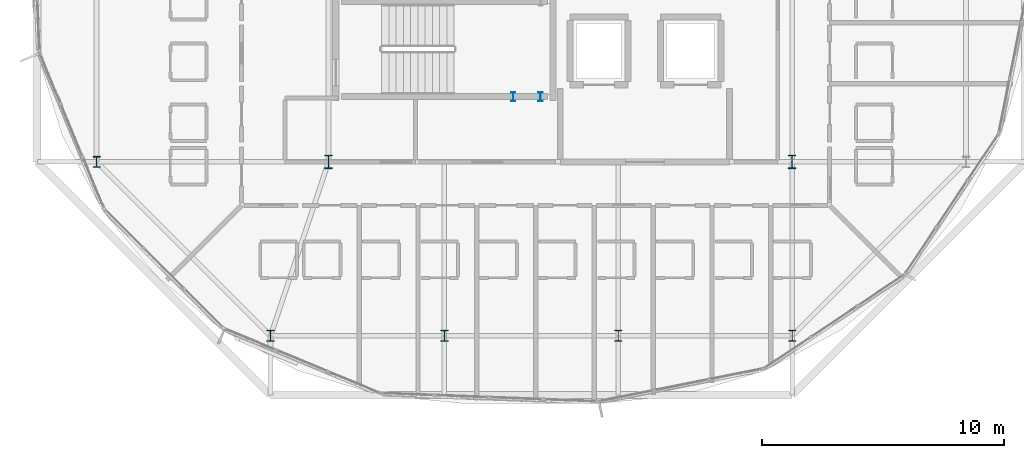
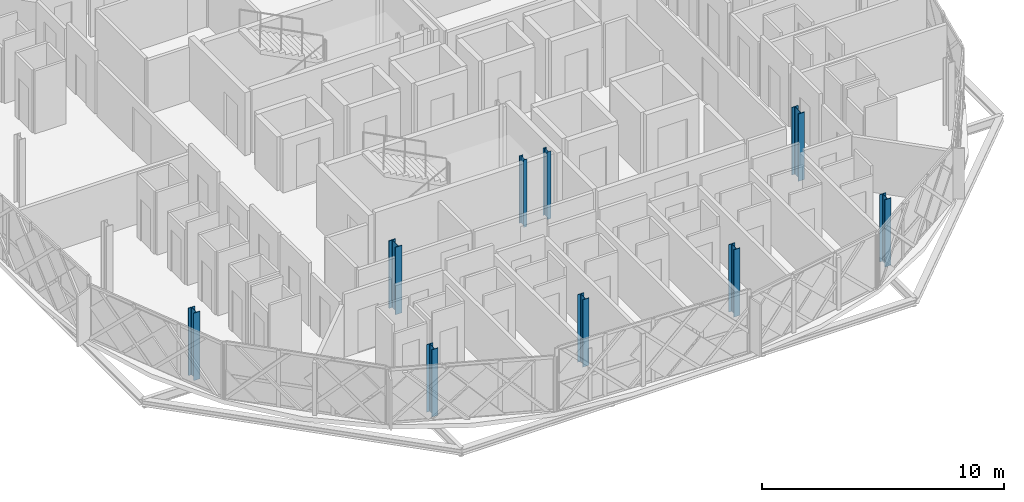
# One storey, part 1 of 24: 9 columns.
"""IFC4 building model written with IfcOpenShell, lengths in metres."""

from ifc_helpers import new_model, si_unit, direction, frame, origin, origin_2d, place, context, subcontext, project, spatial, i_section, extrude, material, material_profile, profile_set, type_object, element, save


model = new_model("IFC4")

# Units and contexts
model_context = context("Model", 3, precision=1e-05, world=origin(), true_north=direction((0.0, 1.0)))
body_context = subcontext(model_context, "Body", "Model", "MODEL_VIEW")
ifc_project = project(units=[si_unit("LENGTHUNIT", "METRE"), si_unit("AREAUNIT", "SQUARE_METRE"), si_unit("VOLUMEUNIT", "CUBIC_METRE"), si_unit("PLANEANGLEUNIT", "RADIAN"), si_unit("MASSUNIT", "GRAM", prefix="KILO")], contexts=[model_context])

# Site, building, storey
site_placement = place(None, origin())
site = spatial("IfcSite", under=ifc_project, at=site_placement, CompositionType="ELEMENT")
building_placement = place(site_placement, origin())
building = spatial("IfcBuilding", under=site, at=building_placement, Name="Zevrakil Square Congress Hotel", CompositionType="ELEMENT")
storey_placement = place(building_placement, frame((0.0, 0.0, 31.699951171875)))
storey = spatial("IfcBuildingStorey", under=building, at=storey_placement, Name="L09", CompositionType="ELEMENT", Elevation=31.699951171875)

# Columns
ifc_material_1 = material(Name="Steel S355", Category="steel")
ifc_material_profile_1 = material_profile(ifc_material_1, i_section(OverallWidth=0.300048828125, OverallDepth=0.449951171875, WebThickness=0.013916015625, FlangeThickness=0.02587890625, FilletRadius=0.027099609375, at=origin_2d()), Name="HEB 450")
ifc_profile_set_1 = profile_set([ifc_material_profile_1], Name="Steel S355")
column_type_1 = type_object("IfcColumnType", Name="COL-HEB450", PredefinedType="COLUMN", material=ifc_profile_set_1)
for number, where, z_axis, x_axis, name in (
    (1, (134.39990234375, 9.60009765625, 0.0), (0.0, 0.0, 1.0), (1.0, 0.0, 0.0), "L09 drum column DC01"),
    (2, (141.60009765625, 9.60009765625, 0.0), (0.0, 0.0, 1.0), (1.0, 0.0, 0.0), "L09 drum column DC02"),
    (3, (148.800048828125, 9.60009765625, 0.0), (0.0, 0.0, 1.0), (1.0, 0.0, 0.0), "L09 drum column DC03"),
    (4, (156.0, 9.60009765625, 0.0), (0.0, 0.0, 1.0), (1.0, 0.0, 0.0), "L09 drum column DC04"),
    (5, (127.199951171875, 16.800048828125, 0.0), (0.0, 0.0, 1.0), (1.0, 0.0, 0.0), "L09 drum column DC16"),
):
    element("IfcColumn", number, at=place(storey_placement, frame(where, z_axis=z_axis, x_axis=x_axis)), inside=storey, type_object=column_type_1, Name=name, PredefinedType="COLUMN", context=body_context, shape_type="SweptSolid", body=[
        extrude(i_section(OverallWidth=0.300048828125, OverallDepth=0.449951171875, WebThickness=0.013916015625, FlangeThickness=0.02587890625, FilletRadius=0.027099609375, at=origin_2d()), origin(), (0.0, 0.0, 1.0), 3.400146484375),
    ])
ifc_material_2 = material(Name="Steel S355", Category="steel")
ifc_material_profile_2 = material_profile(ifc_material_2, i_section(OverallWidth=0.305908203125, OverallDepth=0.572021484375, WebThickness=0.02099609375, FlangeThickness=0.0400390625, FilletRadius=0.027099609375, at=origin_2d()), Name="HEM 550")
ifc_profile_set_2 = profile_set([ifc_material_profile_2], Name="Steel S355")
column_type_2 = type_object("IfcColumnType", Name="COL-HEM550", PredefinedType="COLUMN", material=ifc_profile_set_2)
for number, where, z_axis, x_axis, name in (
    (6, (136.800048828125, 16.800048828125, 0.0), (0.0, 0.0, 1.0), (1.0, 0.0, 0.0), "L09 column C-206"),
    (7, (156.0, 16.800048828125, 0.0), (0.0, 0.0, 1.0), (1.0, 0.0, 0.0), "L09 column C-222"),
):
    element("IfcColumn", number, at=place(storey_placement, frame(where, z_axis=z_axis, x_axis=x_axis)), inside=storey, type_object=column_type_2, Name=name, PredefinedType="COLUMN", context=body_context, shape_type="SweptSolid", body=[
        extrude(i_section(OverallWidth=0.305908203125, OverallDepth=0.572021484375, WebThickness=0.02099609375, FlangeThickness=0.0400390625, FilletRadius=0.027099609375, at=origin_2d()), origin(), (0.0, 0.0, 1.0), 3.400146484375),
    ])
ifc_material_3 = material(Name="Steel S355", Category="steel")
ifc_material_profile_3 = material_profile(ifc_material_3, i_section(OverallWidth=0.169921875, OverallDepth=0.360107421875, WebThickness=0.008056640625, FlangeThickness=0.0126953125, FilletRadius=0.01806640625, at=origin_2d()), Name="IPE 360")
ifc_profile_set_3 = profile_set([ifc_material_profile_3], Name="Steel S355")
column_type_3 = type_object("IfcColumnType", Name="COL-PILASTER-SHS180", PredefinedType="PILASTER", material=ifc_profile_set_3)
for number, where, z_axis, x_axis, name in (
    (8, (144.449951171875, 19.5, 0.0), (0.0, 0.0, 1.0), (1.0, 0.0, 0.0), "L09 ST01 stair shaft post 1"),
    (9, (145.580078125, 19.5, 0.0), (0.0, 0.0, 1.0), (1.0, 0.0, 0.0), "L09 ST01 stair shaft post 2"),
):
    element("IfcColumn", number, at=place(storey_placement, frame(where, z_axis=z_axis, x_axis=x_axis)), inside=storey, type_object=column_type_3, Name=name, PredefinedType="PILASTER", context=body_context, shape_type="SweptSolid", body=[
        extrude(i_section(OverallWidth=0.169921875, OverallDepth=0.360107421875, WebThickness=0.008056640625, FlangeThickness=0.0126953125, FilletRadius=0.01806640625, at=origin_2d()), origin(), (0.0, 0.0, 1.0), 3.400146484375),
    ])

save(model, "model.ifc")
